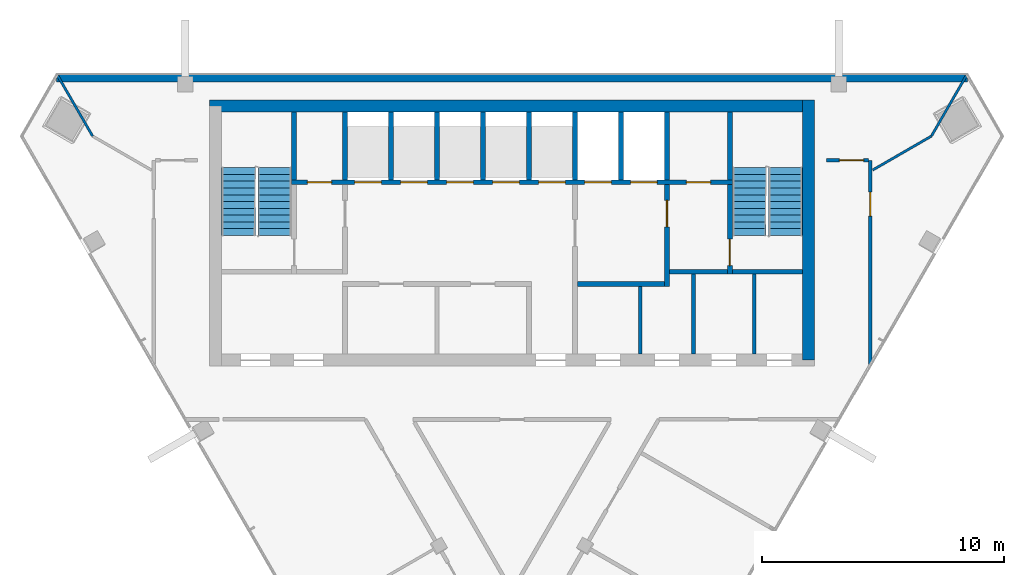
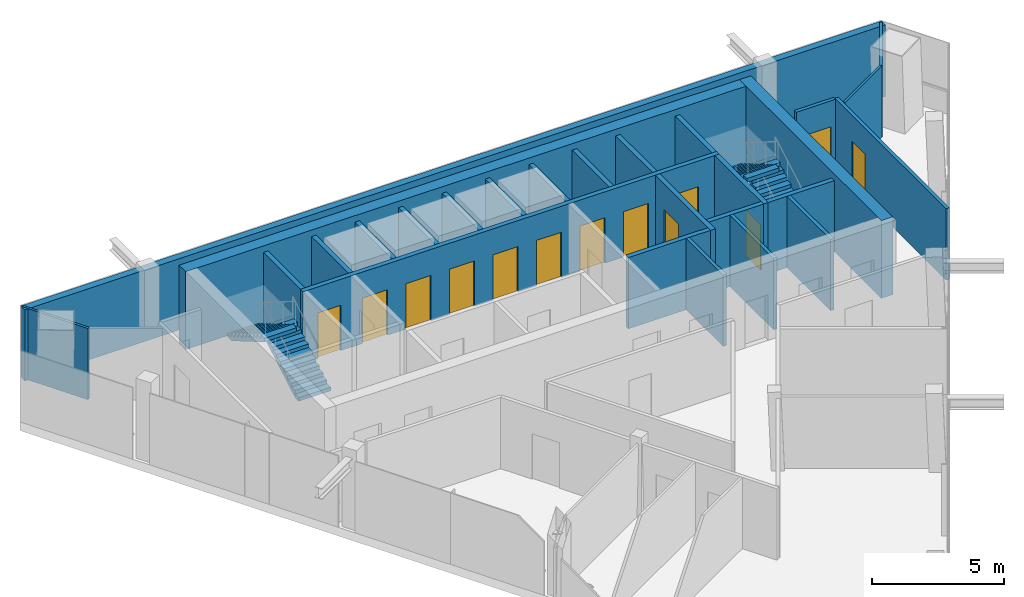
# One storey, part 7 of 9: 27 walls, 13 doors, 4 stair flights, 13 openings, 2 elements without a shape of their own.
"""IFC4 building model written with IfcOpenShell, lengths in metres."""

from ifc_helpers import new_model, si_unit, direction, frame, frame_2d, origin, place, context, subcontext, project, spatial, polyline, rectangle, outline, extrude, material, layer, layer_set, type_object, element, fill, aggregate, save


model = new_model("IFC4")

# Units and contexts
model_context = context("Model", 3, precision=1e-05, world=origin(), true_north=direction((0.0, 1.0)))
body_context = subcontext(model_context, "Body", "Model", "MODEL_VIEW")
ifc_project = project(units=[si_unit("LENGTHUNIT", "METRE"), si_unit("AREAUNIT", "SQUARE_METRE"), si_unit("VOLUMEUNIT", "CUBIC_METRE"), si_unit("PLANEANGLEUNIT", "RADIAN"), si_unit("MASSUNIT", "GRAM", prefix="KILO")], contexts=[model_context])

# Site, building, storey
site_placement = place(None, origin())
site = spatial("IfcSite", under=ifc_project, at=site_placement, CompositionType="ELEMENT")
building_placement = place(site_placement, origin())
building = spatial("IfcBuilding", under=site, at=building_placement, Name="Altiplano Prism Tower", CompositionType="ELEMENT")
storey_placement = place(building_placement, frame((0.0, 0.0, 354.39990234375)))
storey = spatial("IfcBuildingStorey", under=building, at=storey_placement, Name="L92", CompositionType="ELEMENT", Elevation=354.39990234375)

# Walls
ifc_material_1 = material(Name="Concrete C60/75", Category="concrete")
ifc_layer_1 = layer(ifc_material_1, 0.5)
ifc_layer_set_1 = layer_set([ifc_layer_1], Name="Concrete C60/75")
wall_type_1 = type_object("IfcWallType", Name="Core wall 500", PredefinedType="SHEAR", material=ifc_layer_set_1)
wall_1_placement = place(storey_placement, frame((97.25, 93.14990234375, 0.0), z_axis=(0.0, 0.0, 1.0), x_axis=(0.0, 1.0, 0.0)))
element("IfcWall", 1, at=wall_1_placement, inside=storey, type_object=wall_type_1, Name="Core wall E L92", PredefinedType="SHEAR", context=body_context, shape_type="SweptSolid", body=[
    extrude(rectangle(XDim=10.75, YDim=0.5, at=frame_2d((5.375, 0.0))), origin(), (0.0, 0.0, 1.0), 3.60009765625),
])
wall_2_placement = place(storey_placement, frame((97.25, 103.64990234375, 0.0), z_axis=(0.0, 0.0, 1.0), x_axis=(-1.0, 0.0, 0.0)))
element("IfcWall", 2, at=wall_2_placement, inside=storey, type_object=wall_type_1, Name="Core wall N L92", PredefinedType="SHEAR", context=body_context, shape_type="SweptSolid", body=[
    extrude(rectangle(XDim=24.75, YDim=0.5, at=frame_2d((12.375, 0.0))), origin(), (0.0, 0.0, 1.0), 3.60009765625),
])
ifc_material_2 = material(Name="Plasterboard on steel stud", Category="steel")
ifc_layer_2 = layer(ifc_material_2, 0.10009765625)
ifc_layer_set_2 = layer_set([ifc_layer_2], Name="Plasterboard on steel stud")
wall_type_2 = type_object("IfcWallType", Name="Partition 100 wet", PredefinedType="PARTITIONING", material=ifc_layer_set_2)
for number, where, z_axis, x_axis, name in (
    (3, (67.67626953125, 102.40185546875, 0.0), (0.0, 0.0, 1.0), (-0.500035042182, 0.866005171226, 0.0), "Partition P03 L92 014"),
    (4, (103.76611328125, 104.89990234375, 0.0), (0.0, 0.0, 1.0), (-0.500035042182, -0.866005171226, 0.0), "Partition P03 L92 020"),
):
    element("IfcWall", number, at=place(storey_placement, frame(where, z_axis=z_axis, x_axis=x_axis)), inside=storey, type_object=wall_type_2, Name=name, PredefinedType="PARTITIONING", context=body_context, shape_type="SweptSolid", body=[
        extrude(rectangle(XDim=2.884521484375, YDim=0.10009765625, at=frame_2d((1.4423828125, 0.0))), origin(), (0.0, 0.0, 1.0), 3.300048828125),
    ])
wall_3_placement = place(storey_placement, frame((102.32373046875, 102.40185546875, 0.0), z_axis=(0.0, 0.0, 1.0), x_axis=(-0.866017045845, -0.500014476097, 0.0)))
element("IfcWall", 5, at=wall_3_placement, inside=storey, type_object=wall_type_2, Name="Partition P03 L92 021", PredefinedType="PARTITIONING", context=body_context, shape_type="SweptSolid", body=[
    extrude(rectangle(XDim=2.79833984375, YDim=0.10009765625, at=frame_2d((1.399169921875, 0.0))), origin(), (0.0, 0.0, 1.0), 3.300048828125),
])

# Wall, opening, door
ifc_layer_3 = layer(ifc_material_2, 0.14990234375)
ifc_layer_set_3 = layer_set([ifc_layer_3], Name="Plasterboard on steel stud")
wall_type_3 = type_object("IfcWallType", Name="Partition 150 corridor", PredefinedType="PARTITIONING", material=ifc_layer_set_3)
wall_4_placement = place(storey_placement, frame((99.802978515625, 92.967529296875, 0.0), z_axis=(0.0, 0.0, 1.0), x_axis=(-0.000318443663, 0.999999949297, 0.0)))
wall_4 = element("IfcWall", 6, at=wall_4_placement, inside=storey, type_object=wall_type_3, Name="Partition P06 L92 007", PredefinedType="PARTITIONING", context=body_context, shape_type="SweptSolid", body=[
    extrude(rectangle(XDim=8.433349609375, YDim=0.14990234375, at=frame_2d((4.216796875, 0.0))), origin(), (0.0, 0.0, 1.0), 3.300048828125),
])
opening_1_placement = place(wall_4_placement, frame((6.126953125, 0.0, 0.0)))
opening_1 = element("IfcOpeningElement", 7, at=opening_1_placement, cuts=wall_4, Name="Opening D2547", PredefinedType="OPENING", context=body_context, shape_type="SweptSolid", body=[
    extrude(rectangle(XDim=1.0, YDim=2.10009765625, at=frame_2d((0.5, 1.050048828125))), frame((0.0, 0.08544921875, 0.0), z_axis=(0.0, -1.0, 0.0), x_axis=(1.0, 0.0, 0.0)), (0.0, 0.0, 1.0), 0.1708984375),
])
ifc_material_3 = material(Name="Timber", Category="wood")
door_type_1 = type_object("IfcDoorType", Name="Room door 1000 x 2100", OperationType="NOTDEFINED", PredefinedType="NOTDEFINED", material=ifc_material_3)
door_1_placement = place(opening_1_placement, origin())
door_1 = element("IfcDoor", 8, at=door_1_placement, inside=storey, type_object=door_type_1, Name="Door D2547", OperationType="SINGLE_SWING_LEFT", OverallHeight=2.10009765625, OverallWidth=1.0, PredefinedType="NOTDEFINED", context=body_context, shape_type="SweptSolid", body=[
    extrude(rectangle(XDim=1.0, YDim=2.10009765625, at=frame_2d((0.5, 1.050048828125))), frame((0.0, 0.02490234375, 0.0), z_axis=(0.0, -1.0, 0.0), x_axis=(1.0, 0.0, 0.0)), (0.0, 0.0, 1.0), 0.050048828125),
])
fill(opening_1, door_1)

wall_5_placement = place(storey_placement, frame((99.725341796875, 101.40087890625, 0.0), z_axis=(0.0, 0.0, 1.0), x_axis=(-1.0, 0.0, 0.0)))
wall_5 = element("IfcWall", 9, at=wall_5_placement, inside=storey, type_object=wall_type_3, Name="Partition P06 L92 011", PredefinedType="PARTITIONING", context=body_context, shape_type="SweptSolid", body=[
    extrude(rectangle(XDim=1.725341796875, YDim=0.14990234375, at=frame_2d((0.86279296875, 0.0))), origin(), (0.0, 0.0, 1.0), 3.300048828125),
])
opening_2_placement = place(wall_5_placement, frame((0.199951171875, 0.0, 0.0)))
opening_2 = element("IfcOpeningElement", 10, at=opening_2_placement, cuts=wall_5, Name="Opening D2549", PredefinedType="OPENING", context=body_context, shape_type="SweptSolid", body=[
    extrude(rectangle(XDim=1.0, YDim=2.10009765625, at=frame_2d((0.5, 1.050048828125))), frame((0.0, 0.08544921875, 0.0), z_axis=(0.0, -1.0, 0.0), x_axis=(1.0, 0.0, 0.0)), (0.0, 0.0, 1.0), 0.1708984375),
])
door_2_placement = place(opening_2_placement, origin())
door_2 = element("IfcDoor", 11, at=door_2_placement, inside=storey, type_object=door_type_1, Name="Door D2549", OperationType="SINGLE_SWING_LEFT", OverallHeight=2.10009765625, OverallWidth=1.0, PredefinedType="NOTDEFINED", context=body_context, shape_type="SweptSolid", body=[
    extrude(rectangle(XDim=1.0, YDim=2.10009765625, at=frame_2d((0.5, 1.050048828125))), frame((0.0, 0.02490234375, 0.0), z_axis=(0.0, -1.0, 0.0), x_axis=(1.0, 0.0, 0.0)), (0.0, 0.0, 1.0), 0.050048828125),
])
fill(opening_2, door_2)

# Walls
ifc_material_4 = material(Name="Fire-rated gypsum board partition")
ifc_layer_4 = layer(ifc_material_4, 0.14990234375)
ifc_layer_set_4 = layer_set([ifc_layer_4], Name="Fire-rated gypsum board partition")
wall_type_4 = type_object("IfcWallType", Name="Room partition 150", PredefinedType="PARTITIONING", material=ifc_layer_set_4)
wall_6_placement = place(storey_placement, frame((90.300048828125, 93.39990234375, 0.0), z_axis=(0.0, 0.0, 1.0), x_axis=(0.0, 1.0, 0.0)))
element("IfcWall", 12, at=wall_6_placement, inside=storey, type_object=wall_type_4, Name="Room partition L92", PredefinedType="PARTITIONING", context=body_context, shape_type="SweptSolid", body=[
    extrude(rectangle(XDim=2.800048828125, YDim=0.14990234375, at=frame_2d((1.39990234375, 0.0))), origin(), (0.0, 0.0, 1.0), 3.300048828125),
])
for number, where, z_axis, x_axis, name in (
    (13, (92.5, 93.39990234375, 0.0), (0.0, 0.0, 1.0), (0.0, 1.0, 0.0), "Room partition L92"),
    (14, (95.0, 93.39990234375, 0.0), (0.0, 0.0, 1.0), (0.0, 1.0, 0.0), "Room partition L92"),
):
    element("IfcWall", number, at=place(storey_placement, frame(where, z_axis=z_axis, x_axis=x_axis)), inside=storey, type_object=wall_type_4, Name=name, PredefinedType="PARTITIONING", context=body_context, shape_type="SweptSolid", body=[
        extrude(rectangle(XDim=3.300048828125, YDim=0.14990234375, at=frame_2d((1.64990234375, 0.0))), origin(), (0.0, 0.0, 1.0), 3.300048828125),
    ])
ifc_layer_5 = layer(ifc_material_1, 0.199951171875)
ifc_layer_set_5 = layer_set([ifc_layer_5], Name="Concrete C60/75")
wall_type_5 = type_object("IfcWallType", Name="Shaft wall 200", PredefinedType="SOLIDWALL", material=ifc_layer_set_5)
for number, where, z_axis, x_axis, name in (
    (15, (78.10009765625, 100.60009765625, 0.0), (0.0, 0.0, 1.0), (0.0, 1.0, 0.0), "Shaft wall L92"),
    (16, (80.0, 100.60009765625, 0.0), (0.0, 0.0, 1.0), (0.0, 1.0, 0.0), "Shaft wall L92"),
    (17, (81.89990234375, 100.60009765625, 0.0), (0.0, 0.0, 1.0), (0.0, 1.0, 0.0), "Shaft wall L92"),
    (18, (83.800048828125, 100.60009765625, 0.0), (0.0, 0.0, 1.0), (0.0, 1.0, 0.0), "Shaft wall L92"),
    (19, (85.699951171875, 100.60009765625, 0.0), (0.0, 0.0, 1.0), (0.0, 1.0, 0.0), "Shaft wall L92"),
    (20, (87.60009765625, 100.60009765625, 0.0), (0.0, 0.0, 1.0), (0.0, 1.0, 0.0), "Shaft wall L92"),
    (21, (89.5, 100.60009765625, 0.0), (0.0, 0.0, 1.0), (0.0, 1.0, 0.0), "Shaft wall L92"),
    (22, (91.39990234375, 100.60009765625, 0.0), (0.0, 0.0, 1.0), (0.0, 1.0, 0.0), "Shaft wall L92"),
):
    element("IfcWall", number, at=place(storey_placement, frame(where, z_axis=z_axis, x_axis=x_axis)), inside=storey, type_object=wall_type_5, Name=name, PredefinedType="SOLIDWALL", context=body_context, shape_type="SweptSolid", body=[
        extrude(rectangle(XDim=2.7998046875, YDim=0.199951171875, at=frame_2d((1.39990234375, 0.0))), origin(), (0.0, 0.0, 1.0), 3.300048828125),
    ])

# Wall, opening, door
ifc_layer_6 = layer(ifc_material_1, 0.199951171875)
ifc_layer_set_6 = layer_set([ifc_layer_6], Name="Concrete C60/75")
wall_type_6 = type_object("IfcWallType", Name="Stair wall 200", PredefinedType="SOLIDWALL", material=ifc_layer_set_6)
wall_7_placement = place(storey_placement, frame((94.0, 96.699951171875, 0.0), z_axis=(0.0, 0.0, 1.0), x_axis=(0.0, 1.0, 0.0)))
wall_7 = element("IfcWall", 23, at=wall_7_placement, inside=storey, type_object=wall_type_6, Name="Stair wall L92", PredefinedType="SOLIDWALL", context=body_context, shape_type="SweptSolid", body=[
    extrude(rectangle(XDim=3.699951171875, YDim=0.199951171875, at=frame_2d((1.85009765625, 0.0))), origin(), (0.0, 0.0, 1.0), 3.300048828125),
])
opening_3_placement = place(wall_7_placement, frame((0.35009765625, 0.0, 0.0)))
opening_3 = element("IfcOpeningElement", 24, at=opening_3_placement, cuts=wall_7, Name="Opening D3894", PredefinedType="OPENING", context=body_context, shape_type="SweptSolid", body=[
    extrude(rectangle(XDim=1.10009765625, YDim=2.10009765625, at=frame_2d((0.550048828125, 1.050048828125))), frame((0.0, 0.1103515625, 0.0), z_axis=(0.0, -1.0, 0.0), x_axis=(1.0, 0.0, 0.0)), (0.0, 0.0, 1.0), 0.220947265625),
])
ifc_material_5 = material(Name="Fire-rated steel door", Category="steel")
door_type_2 = type_object("IfcDoorType", Name="Stair fire door 1100 x 2100", OperationType="NOTDEFINED", PredefinedType="NOTDEFINED", material=ifc_material_5)
door_3_placement = place(opening_3_placement, origin())
door_3 = element("IfcDoor", 25, at=door_3_placement, inside=storey, type_object=door_type_2, Name="Stair fire door D3894", OperationType="SINGLE_SWING_LEFT", OverallHeight=2.10009765625, OverallWidth=1.10009765625, PredefinedType="NOTDEFINED", context=body_context, shape_type="SweptSolid", body=[
    extrude(rectangle(XDim=1.10009765625, YDim=2.10009765625, at=frame_2d((0.550048828125, 1.050048828125))), frame((0.0, 0.02490234375, 0.0), z_axis=(0.0, -1.0, 0.0), x_axis=(1.0, 0.0, 0.0)), (0.0, 0.0, 1.0), 0.050048828125),
])
fill(opening_3, door_3)

# Wall
wall_8_placement = place(storey_placement, frame((94.10009765625, 96.800048828125, 0.0), z_axis=(0.0, 0.0, 1.0), x_axis=(1.0, 0.0, 0.0)))
element("IfcWall", 26, at=wall_8_placement, inside=storey, type_object=wall_type_6, Name="Stair wall L92", PredefinedType="SOLIDWALL", context=body_context, shape_type="SweptSolid", body=[
    extrude(rectangle(XDim=2.89990234375, YDim=0.199951171875, at=frame_2d((1.449951171875, 0.0))), origin(), (0.0, 0.0, 1.0), 3.300048828125),
])

# Wall, openings, doors
wall_9_placement = place(storey_placement, frame((75.89990234375, 100.5, 0.0), z_axis=(0.0, 0.0, 1.0), x_axis=(1.0, 0.0, 0.0)))
wall_9 = element("IfcWall", 27, at=wall_9_placement, inside=storey, type_object=wall_type_6, Name="Stair wall L92", PredefinedType="SOLIDWALL", context=body_context, shape_type="SweptSolid", body=[
    extrude(rectangle(XDim=18.2001953125, YDim=0.199951171875, at=frame_2d((9.10009765625, 0.0))), origin(), (0.0, 0.0, 1.0), 3.300048828125),
])
opening_4_placement = place(wall_9_placement, frame((2.60009765625, 0.0, 0.0)))
opening_4 = element("IfcOpeningElement", 28, at=opening_4_placement, cuts=wall_9, Name="Opening LD-HL1-L92", PredefinedType="OPENING", context=body_context, shape_type="SweptSolid", body=[
    extrude(rectangle(XDim=1.10009765625, YDim=2.10009765625, at=frame_2d((0.550048828125, 1.050048828125))), frame((0.0, 0.1103515625, 0.0), z_axis=(0.0, -1.0, 0.0), x_axis=(1.0, 0.0, 0.0)), (0.0, 0.0, 1.0), 0.220947265625),
])
opening_5_placement = place(wall_9_placement, frame((4.5, 0.0, 0.0)))
opening_5 = element("IfcOpeningElement", 29, at=opening_5_placement, cuts=wall_9, Name="Opening LD-HL2-L92", PredefinedType="OPENING", context=body_context, shape_type="SweptSolid", body=[
    extrude(rectangle(XDim=1.10009765625, YDim=2.10009765625, at=frame_2d((0.550048828125, 1.050048828125))), frame((0.0, 0.1103515625, 0.0), z_axis=(0.0, -1.0, 0.0), x_axis=(1.0, 0.0, 0.0)), (0.0, 0.0, 1.0), 0.220947265625),
])
opening_6_placement = place(wall_9_placement, frame((6.39990234375, 0.0, 0.0)))
opening_6 = element("IfcOpeningElement", 30, at=opening_6_placement, cuts=wall_9, Name="Opening LD-HL3-L92", PredefinedType="OPENING", context=body_context, shape_type="SweptSolid", body=[
    extrude(rectangle(XDim=1.10009765625, YDim=2.10009765625, at=frame_2d((0.550048828125, 1.050048828125))), frame((0.0, 0.1103515625, 0.0), z_axis=(0.0, -1.0, 0.0), x_axis=(1.0, 0.0, 0.0)), (0.0, 0.0, 1.0), 0.220947265625),
])
opening_7_placement = place(wall_9_placement, frame((8.300048828125, 0.0, 0.0)))
opening_7 = element("IfcOpeningElement", 31, at=opening_7_placement, cuts=wall_9, Name="Opening LD-HL4-L92", PredefinedType="OPENING", context=body_context, shape_type="SweptSolid", body=[
    extrude(rectangle(XDim=1.10009765625, YDim=2.10009765625, at=frame_2d((0.550048828125, 1.050048828125))), frame((0.0, 0.1103515625, 0.0), z_axis=(0.0, -1.0, 0.0), x_axis=(1.0, 0.0, 0.0)), (0.0, 0.0, 1.0), 0.220947265625),
])
opening_8_placement = place(wall_9_placement, frame((10.199951171875, 0.0, 0.0)))
opening_8 = element("IfcOpeningElement", 32, at=opening_8_placement, cuts=wall_9, Name="Opening LD-HL5-L92", PredefinedType="OPENING", context=body_context, shape_type="SweptSolid", body=[
    extrude(rectangle(XDim=1.10009765625, YDim=2.10009765625, at=frame_2d((0.550048828125, 1.050048828125))), frame((0.0, 0.1103515625, 0.0), z_axis=(0.0, -1.0, 0.0), x_axis=(1.0, 0.0, 0.0)), (0.0, 0.0, 1.0), 0.220947265625),
])
opening_9_placement = place(wall_9_placement, frame((12.10009765625, 0.0, 0.0)))
opening_9 = element("IfcOpeningElement", 33, at=opening_9_placement, cuts=wall_9, Name="Opening LD-FF1-L92", PredefinedType="OPENING", context=body_context, shape_type="SweptSolid", body=[
    extrude(rectangle(XDim=1.10009765625, YDim=2.10009765625, at=frame_2d((0.550048828125, 1.050048828125))), frame((0.0, 0.1103515625, 0.0), z_axis=(0.0, -1.0, 0.0), x_axis=(1.0, 0.0, 0.0)), (0.0, 0.0, 1.0), 0.220947265625),
])
opening_10_placement = place(wall_9_placement, frame((14.0, 0.0, 0.0)))
opening_10 = element("IfcOpeningElement", 34, at=opening_10_placement, cuts=wall_9, Name="Opening LD-FF2-L92", PredefinedType="OPENING", context=body_context, shape_type="SweptSolid", body=[
    extrude(rectangle(XDim=1.10009765625, YDim=2.10009765625, at=frame_2d((0.550048828125, 1.050048828125))), frame((0.0, 0.1103515625, 0.0), z_axis=(0.0, -1.0, 0.0), x_axis=(1.0, 0.0, 0.0)), (0.0, 0.0, 1.0), 0.220947265625),
])
opening_11_placement = place(wall_9_placement, frame((0.64990234375, 0.0, 0.0)))
opening_11 = element("IfcOpeningElement", 35, at=opening_11_placement, cuts=wall_9, Name="Opening D3901", PredefinedType="OPENING", context=body_context, shape_type="SweptSolid", body=[
    extrude(rectangle(XDim=1.0, YDim=2.10009765625, at=frame_2d((0.5, 1.050048828125))), frame((0.0, 0.1103515625, 0.0), z_axis=(0.0, -1.0, 0.0), x_axis=(1.0, 0.0, 0.0)), (0.0, 0.0, 1.0), 0.220947265625),
])
opening_12_placement = place(wall_9_placement, frame((16.300048828125, 0.0, 0.0)))
opening_12 = element("IfcOpeningElement", 36, at=opening_12_placement, cuts=wall_9, Name="Opening D3902", PredefinedType="OPENING", context=body_context, shape_type="SweptSolid", body=[
    extrude(rectangle(XDim=1.0, YDim=2.10009765625, at=frame_2d((0.5, 1.050048828125))), frame((0.0, 0.1103515625, 0.0), z_axis=(0.0, -1.0, 0.0), x_axis=(1.0, 0.0, 0.0)), (0.0, 0.0, 1.0), 0.220947265625),
])
door_type_3 = type_object("IfcDoorType", Name="Core room door 1000 x 2100", OperationType="NOTDEFINED", PredefinedType="NOTDEFINED", material=ifc_material_5)
door_4_placement = place(opening_11_placement, origin())
door_4 = element("IfcDoor", 37, at=door_4_placement, inside=storey, type_object=door_type_3, Name="Core room door D3901", OperationType="SINGLE_SWING_LEFT", OverallHeight=2.10009765625, OverallWidth=1.0, PredefinedType="NOTDEFINED", context=body_context, shape_type="SweptSolid", body=[
    extrude(rectangle(XDim=1.0, YDim=2.10009765625, at=frame_2d((0.5, 1.050048828125))), frame((0.0, 0.02490234375, 0.0), z_axis=(0.0, -1.0, 0.0), x_axis=(1.0, 0.0, 0.0)), (0.0, 0.0, 1.0), 0.050048828125),
])
fill(opening_11, door_4)
door_5_placement = place(opening_12_placement, origin())
door_5 = element("IfcDoor", 38, at=door_5_placement, inside=storey, type_object=door_type_3, Name="Core room door D3902", OperationType="SINGLE_SWING_RIGHT", OverallHeight=2.10009765625, OverallWidth=1.0, PredefinedType="NOTDEFINED", context=body_context, shape_type="SweptSolid", body=[
    extrude(rectangle(XDim=1.0, YDim=2.10009765625, at=frame_2d((0.5, 1.050048828125))), frame((0.0, 0.02490234375, 0.0), z_axis=(0.0, -1.0, 0.0), x_axis=(1.0, 0.0, 0.0)), (0.0, 0.0, 1.0), 0.050048828125),
])
fill(opening_12, door_5)
ifc_material_6 = material(Name="Stainless steel landing door", Category="steel")
door_type_4 = type_object("IfcDoorType", Name="Landing door 1100 x 2100", OperationType="NOTDEFINED", PredefinedType="NOTDEFINED", material=ifc_material_6)
door_6_placement = place(opening_4_placement, origin())
door_6 = element("IfcDoor", 39, at=door_6_placement, inside=storey, type_object=door_type_4, Name="Landing doors HL1", OperationType="SLIDING_TO_RIGHT", OverallHeight=2.10009765625, OverallWidth=1.10009765625, PredefinedType="NOTDEFINED", context=body_context, shape_type="SweptSolid", body=[
    extrude(rectangle(XDim=1.10009765625, YDim=2.10009765625, at=frame_2d((0.550048828125, 1.050048828125))), frame((0.0, 0.02490234375, 0.0), z_axis=(0.0, -1.0, 0.0), x_axis=(1.0, 0.0, 0.0)), (0.0, 0.0, 1.0), 0.050048828125),
])
fill(opening_4, door_6)
door_7_placement = place(opening_5_placement, origin())
door_7 = element("IfcDoor", 40, at=door_7_placement, inside=storey, type_object=door_type_4, Name="Landing doors HL2", OperationType="SLIDING_TO_LEFT", OverallHeight=2.10009765625, OverallWidth=1.10009765625, PredefinedType="NOTDEFINED", context=body_context, shape_type="SweptSolid", body=[
    extrude(rectangle(XDim=1.10009765625, YDim=2.10009765625, at=frame_2d((0.550048828125, 1.050048828125))), frame((0.0, 0.02490234375, 0.0), z_axis=(0.0, -1.0, 0.0), x_axis=(1.0, 0.0, 0.0)), (0.0, 0.0, 1.0), 0.050048828125),
])
fill(opening_5, door_7)
door_8_placement = place(opening_6_placement, origin())
door_8 = element("IfcDoor", 41, at=door_8_placement, inside=storey, type_object=door_type_4, Name="Landing doors HL3", OperationType="SLIDING_TO_RIGHT", OverallHeight=2.10009765625, OverallWidth=1.10009765625, PredefinedType="NOTDEFINED", context=body_context, shape_type="SweptSolid", body=[
    extrude(rectangle(XDim=1.10009765625, YDim=2.10009765625, at=frame_2d((0.550048828125, 1.050048828125))), frame((0.0, 0.02490234375, 0.0), z_axis=(0.0, -1.0, 0.0), x_axis=(1.0, 0.0, 0.0)), (0.0, 0.0, 1.0), 0.050048828125),
])
fill(opening_6, door_8)
door_9_placement = place(opening_7_placement, origin())
door_9 = element("IfcDoor", 42, at=door_9_placement, inside=storey, type_object=door_type_4, Name="Landing doors HL4", OperationType="SLIDING_TO_LEFT", OverallHeight=2.10009765625, OverallWidth=1.10009765625, PredefinedType="NOTDEFINED", context=body_context, shape_type="SweptSolid", body=[
    extrude(rectangle(XDim=1.10009765625, YDim=2.10009765625, at=frame_2d((0.550048828125, 1.050048828125))), frame((0.0, 0.02490234375, 0.0), z_axis=(0.0, -1.0, 0.0), x_axis=(1.0, 0.0, 0.0)), (0.0, 0.0, 1.0), 0.050048828125),
])
fill(opening_7, door_9)
door_10_placement = place(opening_8_placement, origin())
door_10 = element("IfcDoor", 43, at=door_10_placement, inside=storey, type_object=door_type_4, Name="Landing doors HL5", OperationType="SLIDING_TO_RIGHT", OverallHeight=2.10009765625, OverallWidth=1.10009765625, PredefinedType="NOTDEFINED", context=body_context, shape_type="SweptSolid", body=[
    extrude(rectangle(XDim=1.10009765625, YDim=2.10009765625, at=frame_2d((0.550048828125, 1.050048828125))), frame((0.0, 0.02490234375, 0.0), z_axis=(0.0, -1.0, 0.0), x_axis=(1.0, 0.0, 0.0)), (0.0, 0.0, 1.0), 0.050048828125),
])
fill(opening_8, door_10)
door_11_placement = place(opening_9_placement, origin())
door_11 = element("IfcDoor", 44, at=door_11_placement, inside=storey, type_object=door_type_4, Name="Landing doors FF1", OperationType="SLIDING_TO_RIGHT", OverallHeight=2.10009765625, OverallWidth=1.10009765625, PredefinedType="NOTDEFINED", context=body_context, shape_type="SweptSolid", body=[
    extrude(rectangle(XDim=1.10009765625, YDim=2.10009765625, at=frame_2d((0.550048828125, 1.050048828125))), frame((0.0, 0.02490234375, 0.0), z_axis=(0.0, -1.0, 0.0), x_axis=(1.0, 0.0, 0.0)), (0.0, 0.0, 1.0), 0.050048828125),
])
fill(opening_9, door_11)
door_12_placement = place(opening_10_placement, origin())
door_12 = element("IfcDoor", 45, at=door_12_placement, inside=storey, type_object=door_type_4, Name="Landing doors FF2", OperationType="SLIDING_TO_LEFT", OverallHeight=2.10009765625, OverallWidth=1.10009765625, PredefinedType="NOTDEFINED", context=body_context, shape_type="SweptSolid", body=[
    extrude(rectangle(XDim=1.10009765625, YDim=2.10009765625, at=frame_2d((0.550048828125, 1.050048828125))), frame((0.0, 0.02490234375, 0.0), z_axis=(0.0, -1.0, 0.0), x_axis=(1.0, 0.0, 0.0)), (0.0, 0.0, 1.0), 0.050048828125),
])
fill(opening_10, door_12)

# Walls
for number, where, z_axis, x_axis, name in (
    (46, (76.0, 100.60009765625, 0.0), (0.0, 0.0, 1.0), (0.0, 1.0, 0.0), "Stair wall L92"),
    (47, (94.0, 100.60009765625, 0.0), (0.0, 0.0, 1.0), (0.0, 1.0, 0.0), "Stair wall L92"),
):
    element("IfcWall", number, at=place(storey_placement, frame(where, z_axis=z_axis, x_axis=x_axis)), inside=storey, type_object=wall_type_6, Name=name, PredefinedType="SOLIDWALL", context=body_context, shape_type="SweptSolid", body=[
        extrude(rectangle(XDim=2.7998046875, YDim=0.199951171875, at=frame_2d((1.39990234375, 0.0))), origin(), (0.0, 0.0, 1.0), 3.300048828125),
    ])
ifc_material_7 = material(Name="Concrete C40", Category="concrete")
ifc_layer_7 = layer(ifc_material_7, 0.300048828125)
ifc_layer_set_7 = layer_set([ifc_layer_7], Name="Concrete C40")
wall_type_7 = type_object("IfcWallType", Name="Stone-clad external wall 300", PredefinedType="SOLIDWALL", material=ifc_layer_set_7)
wall_10_placement = place(storey_placement, frame((66.17626953125, 104.7900390625, 0.0), z_axis=(0.0, 0.0, 1.0), x_axis=(1.0, 0.0, 0.0)))
element("IfcWall", 48, at=wall_10_placement, inside=storey, type_object=wall_type_7, Name="External wall north face L92", PredefinedType="SOLIDWALL", context=body_context, shape_type="SweptSolid", body=[
    extrude(rectangle(XDim=37.6474609375, YDim=0.300048828125, at=frame_2d((18.82373046875, 0.0))), origin(), (0.0, 0.0, 1.0), 3.300048828125),
])
ifc_layer_8 = layer(ifc_material_1, 0.199951171875)
ifc_layer_set_8 = layer_set([ifc_layer_8], Name="Concrete C60/75")
wall_type_8 = type_object("IfcWallType", Name="Vestibule wall 200", PredefinedType="PARTITIONING", material=ifc_layer_set_8)
wall_11_placement = place(storey_placement, frame((87.699951171875, 96.300048828125, 0.0), z_axis=(0.0, 0.0, 1.0), x_axis=(1.0, 0.0, 0.0)))
element("IfcWall", 49, at=wall_11_placement, inside=storey, type_object=wall_type_8, Name="Vestibule wall L92", PredefinedType="PARTITIONING", context=body_context, shape_type="SweptSolid", body=[
    extrude(rectangle(XDim=3.60009765625, YDim=0.199951171875, at=frame_2d((1.800048828125, 0.0))), origin(), (0.0, 0.0, 1.0), 3.300048828125),
])

# Wall, opening, door
wall_12_placement = place(storey_placement, frame((91.39990234375, 96.199951171875, 0.0), z_axis=(0.0, 0.0, 1.0), x_axis=(0.0, 1.0, 0.0)))
wall_12 = element("IfcWall", 50, at=wall_12_placement, inside=storey, type_object=wall_type_8, Name="Vestibule wall L92", PredefinedType="PARTITIONING", context=body_context, shape_type="SweptSolid", body=[
    extrude(rectangle(XDim=4.199951171875, YDim=0.199951171875, at=frame_2d((2.10009765625, 0.0))), origin(), (0.0, 0.0, 1.0), 3.300048828125),
])
opening_13_placement = place(wall_12_placement, frame((2.449951171875, 0.0, 0.0)))
opening_13 = element("IfcOpeningElement", 51, at=opening_13_placement, cuts=wall_12, Name="Opening D3897", PredefinedType="OPENING", context=body_context, shape_type="SweptSolid", body=[
    extrude(rectangle(XDim=1.10009765625, YDim=2.10009765625, at=frame_2d((0.550048828125, 1.050048828125))), frame((0.0, 0.1103515625, 0.0), z_axis=(0.0, -1.0, 0.0), x_axis=(1.0, 0.0, 0.0)), (0.0, 0.0, 1.0), 0.220947265625),
])
door_type_5 = type_object("IfcDoorType", Name="Vestibule fire door 1100 x 2100", OperationType="NOTDEFINED", PredefinedType="NOTDEFINED", material=ifc_material_5)
door_13_placement = place(opening_13_placement, origin())
door_13 = element("IfcDoor", 52, at=door_13_placement, inside=storey, type_object=door_type_5, Name="Vestibule fire door D3897", OperationType="SINGLE_SWING_LEFT", OverallHeight=2.10009765625, OverallWidth=1.10009765625, PredefinedType="NOTDEFINED", context=body_context, shape_type="SweptSolid", body=[
    extrude(rectangle(XDim=1.10009765625, YDim=2.10009765625, at=frame_2d((0.550048828125, 1.050048828125))), frame((0.0, 0.02490234375, 0.0), z_axis=(0.0, -1.0, 0.0), x_axis=(1.0, 0.0, 0.0)), (0.0, 0.0, 1.0), 0.050048828125),
])
fill(opening_13, door_13)

# Wall
wall_13_placement = place(storey_placement, frame((91.5, 96.800048828125, 0.0), z_axis=(0.0, 0.0, 1.0), x_axis=(1.0, 0.0, 0.0)))
element("IfcWall", 53, at=wall_13_placement, inside=storey, type_object=wall_type_8, Name="Vestibule wall L92", PredefinedType="PARTITIONING", context=body_context, shape_type="SweptSolid", body=[
    extrude(rectangle(XDim=2.39990234375, YDim=0.199951171875, at=frame_2d((1.199951171875, 0.0))), origin(), (0.0, 0.0, 1.0), 3.300048828125),
])

# Stair, stair flights
ifc_material_8 = material(Name="Concrete C40/50", Category="concrete")
stair_type = type_object("IfcStairType", Name="Exit stair 1400", PredefinedType="HALF_TURN_STAIR", material=ifc_material_8)
stair_1_placement = place(storey_placement, origin())
stair_1 = element("IfcStair", 54, at=stair_1_placement, inside=storey, type_object=stair_type, Name="L92 Exit Stair 1", PredefinedType="HALF_TURN_STAIR")
stair_flight_type = type_object("IfcStairFlightType", Name="Stair flight concrete 150", PredefinedType="STRAIGHT", material=ifc_material_8)
stair_flight_1_placement = place(storey_placement, frame((75.199951171875, 98.300048828125, 0.0), z_axis=(0.0, 0.0, 1.0), x_axis=(0.0, 1.0, 0.0)))
stair_flight_1 = element("IfcStairFlight", 55, at=stair_flight_1_placement, type_object=stair_flight_type, Name="ST1 flight 1", NumberOfRisers=11, NumberOfTreads=10, PredefinedType="STRAIGHT", RiserHeight=0.163636364, TreadLength=0.28, context=body_context, shape_type="SweptSolid", body=[
    extrude(outline(polyline([(0.0, 0.0), (0.0, 0.16357421875), (0.280029296875, 0.16357421875), (0.280029296875, 0.327392578125), (0.56005859375, 0.327392578125), (0.56005859375, 0.490966796875), (0.840087890625, 0.490966796875), (0.840087890625, 0.654541015625), (1.1201171875, 0.654541015625), (1.1201171875, 0.818115234375), (1.39990234375, 0.818115234375), (1.39990234375, 0.98193359375), (1.679931640625, 0.98193359375), (1.679931640625, 1.1455078125), (1.9599609375, 1.1455078125), (1.9599609375, 1.30908203125), (2.239990234375, 1.30908203125), (2.239990234375, 1.47265625), (2.52001953125, 1.47265625), (2.52001953125, 1.636474609375), (2.800048828125, 1.636474609375), (2.800048828125, 1.800048828125), (2.800048828125, 1.462646484375), (0.297119140625, 0.0), (0.0, 0.0)])), frame((0.0, 0.699951171875, 0.0), z_axis=(0.0, -1.0, 0.0), x_axis=(1.0, 0.0, 0.0)), (0.0, 0.0, 1.0), 1.39990234375),
])
stair_flight_2_placement = place(storey_placement, frame((73.699951171875, 101.10009765625, 1.800048828125), z_axis=(0.0, 0.0, 1.0), x_axis=(0.0, -1.0, 0.0)))
stair_flight_2 = element("IfcStairFlight", 56, at=stair_flight_2_placement, type_object=stair_flight_type, Name="ST1 flight 2", NumberOfRisers=11, NumberOfTreads=10, PredefinedType="STRAIGHT", RiserHeight=0.163636364, TreadLength=0.28, context=body_context, shape_type="SweptSolid", body=[
    extrude(outline(polyline([(0.0, 0.0), (0.0, 0.16357421875), (0.280029296875, 0.16357421875), (0.280029296875, 0.327392578125), (0.56005859375, 0.327392578125), (0.56005859375, 0.490966796875), (0.840087890625, 0.490966796875), (0.840087890625, 0.654541015625), (1.1201171875, 0.654541015625), (1.1201171875, 0.818115234375), (1.39990234375, 0.818115234375), (1.39990234375, 0.98193359375), (1.679931640625, 0.98193359375), (1.679931640625, 1.1455078125), (1.9599609375, 1.1455078125), (1.9599609375, 1.30908203125), (2.239990234375, 1.30908203125), (2.239990234375, 1.47265625), (2.52001953125, 1.47265625), (2.52001953125, 1.636474609375), (2.800048828125, 1.636474609375), (2.800048828125, 1.800048828125), (2.800048828125, 1.462646484375), (0.297119140625, 0.0), (0.0, 0.0)])), frame((0.0, 0.699951171875, 0.0), z_axis=(0.0, -1.0, 0.0), x_axis=(1.0, 0.0, 0.0)), (0.0, 0.0, 1.0), 1.39990234375),
])
aggregate(stair_1, [stair_flight_1, stair_flight_2])

stair_2_placement = place(storey_placement, origin())
stair_2 = element("IfcStair", 57, at=stair_2_placement, inside=storey, type_object=stair_type, Name="L92 Exit Stair 2", PredefinedType="HALF_TURN_STAIR")
stair_flight_3_placement = place(storey_placement, frame((96.300048828125, 98.300048828125, 0.0), z_axis=(0.0, 0.0, 1.0), x_axis=(0.0, 1.0, 0.0)))
stair_flight_3 = element("IfcStairFlight", 58, at=stair_flight_3_placement, type_object=stair_flight_type, Name="ST2 flight 1", NumberOfRisers=11, NumberOfTreads=10, PredefinedType="STRAIGHT", RiserHeight=0.163636364, TreadLength=0.28, context=body_context, shape_type="SweptSolid", body=[
    extrude(outline(polyline([(0.0, 0.0), (0.0, 0.16357421875), (0.280029296875, 0.16357421875), (0.280029296875, 0.327392578125), (0.56005859375, 0.327392578125), (0.56005859375, 0.490966796875), (0.840087890625, 0.490966796875), (0.840087890625, 0.654541015625), (1.1201171875, 0.654541015625), (1.1201171875, 0.818115234375), (1.39990234375, 0.818115234375), (1.39990234375, 0.98193359375), (1.679931640625, 0.98193359375), (1.679931640625, 1.1455078125), (1.9599609375, 1.1455078125), (1.9599609375, 1.30908203125), (2.239990234375, 1.30908203125), (2.239990234375, 1.47265625), (2.52001953125, 1.47265625), (2.52001953125, 1.636474609375), (2.800048828125, 1.636474609375), (2.800048828125, 1.800048828125), (2.800048828125, 1.462646484375), (0.297119140625, 0.0), (0.0, 0.0)])), frame((0.0, 0.699951171875, 0.0), z_axis=(0.0, -1.0, 0.0), x_axis=(1.0, 0.0, 0.0)), (0.0, 0.0, 1.0), 1.39990234375),
])
stair_flight_4_placement = place(storey_placement, frame((94.800048828125, 101.10009765625, 1.800048828125), z_axis=(0.0, 0.0, 1.0), x_axis=(0.0, -1.0, 0.0)))
stair_flight_4 = element("IfcStairFlight", 59, at=stair_flight_4_placement, type_object=stair_flight_type, Name="ST2 flight 2", NumberOfRisers=11, NumberOfTreads=10, PredefinedType="STRAIGHT", RiserHeight=0.163636364, TreadLength=0.28, context=body_context, shape_type="SweptSolid", body=[
    extrude(outline(polyline([(0.0, 0.0), (0.0, 0.16357421875), (0.280029296875, 0.16357421875), (0.280029296875, 0.327392578125), (0.56005859375, 0.327392578125), (0.56005859375, 0.490966796875), (0.840087890625, 0.490966796875), (0.840087890625, 0.654541015625), (1.1201171875, 0.654541015625), (1.1201171875, 0.818115234375), (1.39990234375, 0.818115234375), (1.39990234375, 0.98193359375), (1.679931640625, 0.98193359375), (1.679931640625, 1.1455078125), (1.9599609375, 1.1455078125), (1.9599609375, 1.30908203125), (2.239990234375, 1.30908203125), (2.239990234375, 1.47265625), (2.52001953125, 1.47265625), (2.52001953125, 1.636474609375), (2.800048828125, 1.636474609375), (2.800048828125, 1.800048828125), (2.800048828125, 1.462646484375), (0.297119140625, 0.0), (0.0, 0.0)])), frame((0.0, 0.699951171875, 0.0), z_axis=(0.0, -1.0, 0.0), x_axis=(1.0, 0.0, 0.0)), (0.0, 0.0, 1.0), 1.39990234375),
])
aggregate(stair_2, [stair_flight_3, stair_flight_4])

save(model, "model.ifc")
